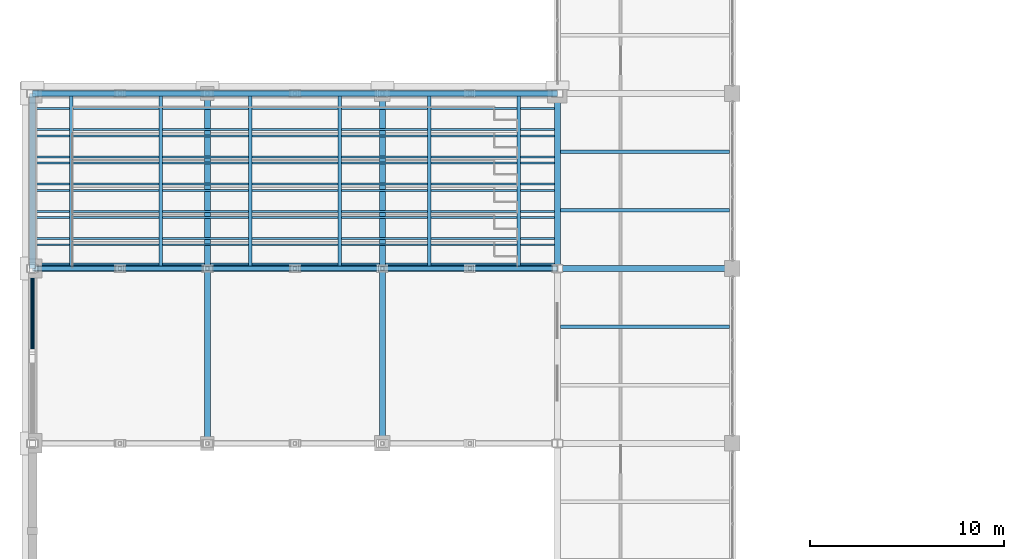
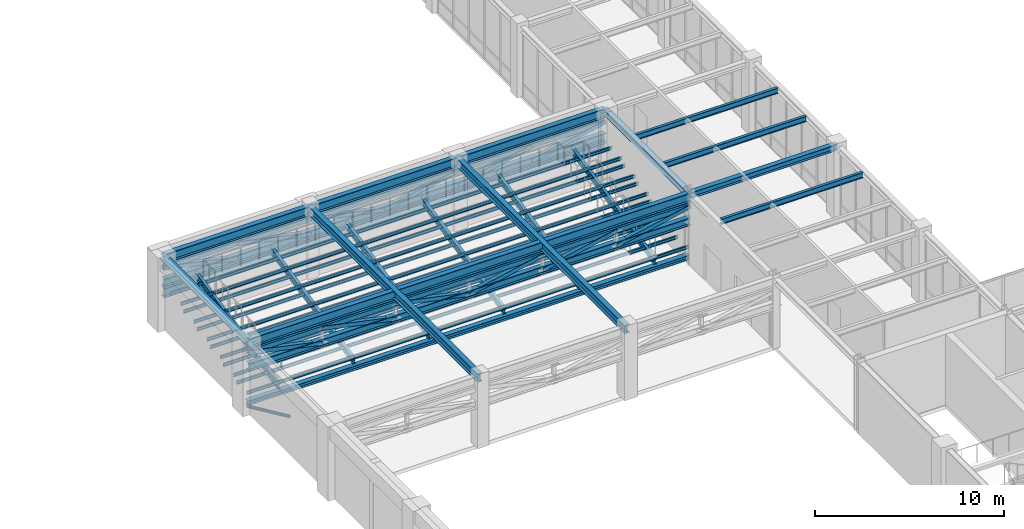
# One storey, part 21 of 92: 30 beams, 17 members.
"""IFC4 building model written with IfcOpenShell, lengths in metres."""

from ifc_helpers import new_model, si_unit, direction, frame, origin, origin_2d, place, context, subcontext, project, spatial, hollow_rectangle, hollow_circle, i_section, extrude, material, material_profile, profile_set, type_object, element, save


model = new_model("IFC4")

# Units and contexts
model_context = context("Model", 3, precision=1e-05, world=origin(), true_north=direction((0.0, 1.0)))
body_context = subcontext(model_context, "Body", "Model", "MODEL_VIEW")
ifc_project = project(units=[si_unit("LENGTHUNIT", "METRE"), si_unit("AREAUNIT", "SQUARE_METRE"), si_unit("VOLUMEUNIT", "CUBIC_METRE"), si_unit("PLANEANGLEUNIT", "RADIAN"), si_unit("MASSUNIT", "GRAM", prefix="KILO")], contexts=[model_context])

# Site, building, storey
site_placement = place(None, origin())
site = spatial("IfcSite", under=ifc_project, at=site_placement, CompositionType="ELEMENT")
building_placement = place(site_placement, origin())
building = spatial("IfcBuilding", under=site, at=building_placement, Name="Lykobir Media Centre", CompositionType="ELEMENT")
storey_placement = place(building_placement, frame((0.0, 0.0, 5.39990234375)))
storey = spatial("IfcBuildingStorey", under=building, at=storey_placement, Name="L01", CompositionType="ELEMENT", Elevation=5.39990234375)

# Beams
ifc_material = material(Name="Steel S355", Category="steel")
ifc_material_profile_1 = material_profile(ifc_material, i_section(OverallWidth=0.300048828125, OverallDepth=0.2900390625, WebThickness=0.008544921875, FlangeThickness=0.013916015625, at=origin_2d()), Name="HEA 300")
ifc_profile_set_1 = profile_set([ifc_material_profile_1], Name="Steel S355")
beam_type_1 = type_object("IfcBeamType", Name="BM-HEA300", PredefinedType="BEAM", material=ifc_profile_set_1)
beam_1_placement = place(storey_placement, frame((0.0, 36.139892578125, 0.295166015625), z_axis=(1.0, 0.0, 0.0), x_axis=(0.0, 1.0, 0.0)))
element("IfcBeam", 1, at=beam_1_placement, inside=storey, type_object=beam_type_1, Name="Beam BM-L01-0000-0361-0270-0361-570", PredefinedType="BEAM", context=body_context, shape_type="SweptSolid", body=[
    extrude(i_section(OverallWidth=0.300048828125, OverallDepth=0.2900390625, WebThickness=0.008544921875, FlangeThickness=0.013916015625, at=origin_2d()), origin(), (0.0, 0.0, 1.0), 27.0),
])
ifc_material_profile_2 = material_profile(ifc_material, i_section(OverallWidth=0.300048828125, OverallDepth=0.389892578125, WebThickness=0.010986328125, FlangeThickness=0.01904296875, at=origin_2d()), Name="HEA 400")
ifc_profile_set_2 = profile_set([ifc_material_profile_2], Name="Steel S355")
beam_type_2 = type_object("IfcBeamType", Name="BM-HEA400", PredefinedType="BEAM", material=ifc_profile_set_2)
beam_2_placement = place(storey_placement, frame((27.0, 36.0, 4.35302734375), z_axis=(1.0, 0.0, 0.0), x_axis=(0.0, 1.0, 0.0)))
element("IfcBeam", 2, at=beam_2_placement, inside=storey, type_object=beam_type_2, Name="Beam BM-L01-0270-0360-0360-0360-976", PredefinedType="BEAM", context=body_context, shape_type="SweptSolid", body=[
    extrude(i_section(OverallWidth=0.300048828125, OverallDepth=0.389892578125, WebThickness=0.010986328125, FlangeThickness=0.01904296875, at=origin_2d()), origin(), (0.0, 0.0, 1.0), 9.0),
])
ifc_material_profile_3 = material_profile(ifc_material, i_section(OverallWidth=0.300048828125, OverallDepth=0.550048828125, WebThickness=0.014892578125, FlangeThickness=0.029052734375, at=origin_2d()), Name="HEB 550")
ifc_profile_set_3 = profile_set([ifc_material_profile_3], Name="Steel S355")
beam_type_3 = type_object("IfcBeamType", Name="BM-HEB550", PredefinedType="BEAM", material=ifc_profile_set_3)
for number, where, z_axis, x_axis, name in (
    (3, (9.0, 27.0, 4.275146484375), (0.0, 1.0, 0.0), (-1.0, 0.0, 0.0), "Beam BM-L01-0090-0270-0090-0450-968"),
    (4, (18.0, 27.0, 4.275146484375), (0.0, 1.0, 0.0), (-1.0, 0.0, 0.0), "Beam BM-L01-0180-0270-0180-0450-968"),
):
    element("IfcBeam", number, at=place(storey_placement, frame(where, z_axis=z_axis, x_axis=x_axis)), inside=storey, type_object=beam_type_3, Name=name, PredefinedType="BEAM", context=body_context, shape_type="SweptSolid", body=[
        extrude(i_section(OverallWidth=0.300048828125, OverallDepth=0.550048828125, WebThickness=0.014892578125, FlangeThickness=0.029052734375, at=origin_2d()), origin(), (0.0, 0.0, 1.0), 18.0),
    ])
ifc_material_profile_4 = material_profile(ifc_material, i_section(OverallWidth=0.300048828125, OverallDepth=0.60009765625, WebThickness=0.015380859375, FlangeThickness=0.030029296875, at=origin_2d()), Name="HEB 600")
ifc_profile_set_4 = profile_set([ifc_material_profile_4], Name="Steel S355")
beam_type_4 = type_object("IfcBeamType", Name="BM-HEB600", PredefinedType="BEAM", material=ifc_profile_set_4)
for number, where, z_axis, x_axis, name in (
    (5, (0.0, 36.0, 4.25), (1.0, 0.0, 0.0), (0.0, 1.0, 0.0), "Beam BM-L01-0000-0360-0270-0360-965"),
    (6, (0.0, 45.0, 2.03857421875), (1.0, 0.0, 0.0), (0.0, 1.0, 0.0), "Beam BM-L01-0000-0450-0270-0450-744"),
):
    element("IfcBeam", number, at=place(storey_placement, frame(where, z_axis=z_axis, x_axis=x_axis)), inside=storey, type_object=beam_type_4, Name=name, PredefinedType="BEAM", context=body_context, shape_type="SweptSolid", body=[
        extrude(i_section(OverallWidth=0.300048828125, OverallDepth=0.60009765625, WebThickness=0.015380859375, FlangeThickness=0.030029296875, at=origin_2d()), origin(), (0.0, 0.0, 1.0), 27.0),
    ])
ifc_material_profile_5 = material_profile(ifc_material, i_section(OverallWidth=0.300048828125, OverallDepth=0.60009765625, WebThickness=0.015380859375, FlangeThickness=0.030029296875, at=origin_2d()), Name="HEB 600")
ifc_profile_set_5 = profile_set([ifc_material_profile_5], Name="Steel S355")
beam_type_5 = type_object("IfcBeamType", Name="BM-HEB600-E", PredefinedType="BEAM", material=ifc_profile_set_5)
beam_3_placement = place(storey_placement, frame((0.0, 45.0, 4.25), z_axis=(1.0, 0.0, 0.0), x_axis=(0.0, 1.0, 0.0)))
element("IfcBeam", 7, at=beam_3_placement, inside=storey, type_object=beam_type_5, Name="Beam BM-L01-0000-0450-0270-0450-965", PredefinedType="BEAM", context=body_context, shape_type="SweptSolid", body=[
    extrude(i_section(OverallWidth=0.300048828125, OverallDepth=0.60009765625, WebThickness=0.015380859375, FlangeThickness=0.030029296875, at=origin_2d()), origin(), (0.0, 0.0, 1.0), 27.0),
])

# Members
ifc_material_profile_6 = material_profile(ifc_material, hollow_circle(Radius=0.096923828125, WallThickness=0.010009765625, at=origin_2d()), Name="CHS 193.7x10.0")
ifc_profile_set_6 = profile_set([ifc_material_profile_6], Name="Steel S355")
member_type_1 = type_object("IfcMemberType", Name="BR-CHS194-E", PredefinedType="BRACE", material=ifc_profile_set_6)
member_1_placement = place(storey_placement, frame((0.0, 36.0, 0.1201171875), z_axis=(0.0, -0.909254600078, 0.416240401976), x_axis=(1.0, 0.0, 0.0)))
element("IfcMember", 8, at=member_1_placement, inside=storey, type_object=member_type_1, Name="Diagonal brace MEM2-L01-0000-0360-0055-0000-0316-0531", PredefinedType="BRACE", context=body_context, shape_type="SweptSolid", body=[
    extrude(hollow_circle(Radius=0.096923828125, WallThickness=0.010009765625, at=origin_2d()), origin(), (0.0, 0.0, 1.0), 4.7890625),
])
ifc_material_profile_7 = material_profile(ifc_material, hollow_rectangle(XDim=0.25, YDim=0.25, WallThickness=0.012451171875, at=origin_2d()), Name="SHS 250x250x12.5")
ifc_profile_set_7 = profile_set([ifc_material_profile_7], Name="Steel S355")
member_type_2 = type_object("IfcMemberType", Name="BR-SHS250", PredefinedType="BRACE", material=ifc_profile_set_7)
for number, where, z_axis, x_axis, name in (
    (9, (0.0, 36.0, 3.650146484375), (0.978436429829, 0.0, -0.206548185138), (0.0, 1.0, 0.0), "Diagonal brace MEM2-L01-0000-0360-0090-0045-0360-0073"),
    (10, (4.5, 36.0, 3.650146484375), (0.978436429829, 0.0, -0.206548185138), (0.0, 1.0, 0.0), "Diagonal brace MEM2-L01-0045-0360-0090-0090-0360-0074"),
    (11, (9.0, 36.0, 3.650146484375), (0.978436429829, 0.0, -0.206548185138), (0.0, 1.0, 0.0), "Diagonal brace MEM2-L01-0090-0360-0090-0135-0360-0076"),
    (12, (13.5, 36.0, 2.7001953125), (0.978436429829, 0.0, 0.206548185138), (0.0, 1.0, 0.0), "Diagonal brace MEM2-L01-0135-0360-0081-0180-0360-0078"),
    (13, (18.0, 36.0, 2.7001953125), (0.978436429829, 0.0, 0.206548185138), (0.0, 1.0, 0.0), "Diagonal brace MEM2-L01-0180-0360-0081-0225-0360-0080"),
    (14, (22.5, 36.0, 2.7001953125), (0.978436429829, 0.0, 0.206548185138), (0.0, 1.0, 0.0), "Diagonal brace MEM2-L01-0225-0360-0081-0270-0360-0082"),
):
    element("IfcMember", number, at=place(storey_placement, frame(where, z_axis=z_axis, x_axis=x_axis)), inside=storey, type_object=member_type_2, Name=name, PredefinedType="BRACE", context=body_context, shape_type="SweptSolid", body=[
        extrude(hollow_rectangle(XDim=0.25, YDim=0.25, WallThickness=0.012451171875, at=origin_2d()), origin(), (0.0, 0.0, 1.0), 4.59912109375),
    ])
ifc_material_profile_8 = material_profile(ifc_material, hollow_rectangle(XDim=0.25, YDim=0.25, WallThickness=0.012451171875, at=origin_2d()), Name="SHS 250x250x12.5")
ifc_profile_set_8 = profile_set([ifc_material_profile_8], Name="Steel S355")
member_type_3 = type_object("IfcMemberType", Name="BR-SHS250-E", PredefinedType="BRACE", material=ifc_profile_set_8)
for number, where, z_axis, x_axis, name in (
    (15, (0.0, 45.0, 3.650146484375), (0.978436429829, 0.0, -0.206548185138), (0.0, 1.0, 0.0), "Diagonal brace MEM2-L01-0000-0450-0090-0045-0450-0086"),
    (16, (4.5, 45.0, 3.650146484375), (0.978436429829, 0.0, -0.206548185138), (0.0, 1.0, 0.0), "Diagonal brace MEM2-L01-0045-0450-0090-0090-0450-0087"),
    (17, (9.0, 45.0, 3.650146484375), (0.978436429829, 0.0, -0.206548185138), (0.0, 1.0, 0.0), "Diagonal brace MEM2-L01-0090-0450-0090-0135-0450-0089"),
    (18, (13.5, 45.0, 2.7001953125), (0.978436429829, 0.0, 0.206548185138), (0.0, 1.0, 0.0), "Diagonal brace MEM2-L01-0135-0450-0081-0180-0450-0091"),
    (19, (18.0, 45.0, 2.7001953125), (0.978436429829, 0.0, 0.206548185138), (0.0, 1.0, 0.0), "Diagonal brace MEM2-L01-0180-0450-0081-0225-0450-0093"),
    (20, (22.5, 45.0, 2.7001953125), (0.978436429829, 0.0, 0.206548185138), (0.0, 1.0, 0.0), "Diagonal brace MEM2-L01-0225-0450-0081-0270-0450-0095"),
):
    element("IfcMember", number, at=place(storey_placement, frame(where, z_axis=z_axis, x_axis=x_axis)), inside=storey, type_object=member_type_3, Name=name, PredefinedType="BRACE", context=body_context, shape_type="SweptSolid", body=[
        extrude(hollow_rectangle(XDim=0.25, YDim=0.25, WallThickness=0.012451171875, at=origin_2d()), origin(), (0.0, 0.0, 1.0), 4.59912109375),
    ])

# Beams
ifc_material_profile_9 = material_profile(ifc_material, i_section(OverallWidth=0.169921875, OverallDepth=0.360107421875, WebThickness=0.008056640625, FlangeThickness=0.0126953125, at=origin_2d()), Name="IPE 360")
ifc_profile_set_9 = profile_set([ifc_material_profile_9], Name="Steel S355")
beam_type_6 = type_object("IfcBeamType", Name="JS-IPE360", PredefinedType="JOIST", material=ifc_profile_set_9)
for number, where, z_axis, x_axis, name in (
    (21, (27.14990234375, 33.0, 4.380126953125), (1.0, 0.0, 0.0), (0.0, 1.0, 0.0), "Beam BM-L01-0272-0330-0358-0330-978"),
    (22, (27.14990234375, 39.0, 4.380126953125), (1.0, 0.0, 0.0), (0.0, 1.0, 0.0), "Beam BM-L01-0272-0390-0358-0390-978"),
    (23, (27.14990234375, 42.0, 4.380126953125), (1.0, 0.0, 0.0), (0.0, 1.0, 0.0), "Beam BM-L01-0272-0420-0358-0420-978"),
):
    element("IfcBeam", number, at=place(storey_placement, frame(where, z_axis=z_axis, x_axis=x_axis)), inside=storey, type_object=beam_type_6, Name=name, PredefinedType="JOIST", context=body_context, shape_type="SweptSolid", body=[
        extrude(i_section(OverallWidth=0.169921875, OverallDepth=0.360107421875, WebThickness=0.008056640625, FlangeThickness=0.0126953125, at=origin_2d()), origin(), (0.0, 0.0, 1.0), 8.7001953125),
    ])
ifc_material_profile_10 = material_profile(ifc_material, i_section(OverallWidth=0.179931640625, OverallDepth=0.39990234375, WebThickness=0.008544921875, FlangeThickness=0.013427734375, at=origin_2d()), Name="IPE 400")
ifc_profile_set_10 = profile_set([ifc_material_profile_10], Name="Steel S355")
beam_type_7 = type_object("IfcBeamType", Name="RK-IPE400", PredefinedType="USERDEFINED", material=ifc_profile_set_10)
for number, where, z_axis, x_axis, name in (
    (24, (2.0, 36.139892578125, 0.635009765625), (0.0, 0.977800442571, 0.209538288884), (-1.0, 0.0, 0.0), "Beam BM-L01-0020-0361-0020-0450-604"),
    (25, (6.60009765625, 36.139892578125, 0.635009765625), (0.0, 0.977800442571, 0.209538288884), (-1.0, 0.0, 0.0), "Beam BM-L01-0066-0361-0066-0450-604"),
    (26, (11.199951171875, 36.139892578125, 0.635009765625), (0.0, 0.977800442571, 0.209538288884), (-1.0, 0.0, 0.0), "Beam BM-L01-0112-0361-0112-0450-604"),
    (27, (15.800048828125, 36.139892578125, 0.635009765625), (0.0, 0.977800442571, 0.209538288884), (-1.0, 0.0, 0.0), "Beam BM-L01-0158-0361-0158-0450-604"),
    (28, (20.39990234375, 36.139892578125, 0.635009765625), (0.0, 0.977800442571, 0.209538288884), (-1.0, 0.0, 0.0), "Beam BM-L01-0204-0361-0204-0450-604"),
    (29, (25.0, 36.139892578125, 0.635009765625), (0.0, 0.977800442571, 0.209538288884), (-1.0, 0.0, 0.0), "Beam BM-L01-0250-0361-0250-0450-604"),
):
    element("IfcBeam", number, at=place(storey_placement, frame(where, z_axis=z_axis, x_axis=x_axis)), inside=storey, type_object=beam_type_7, Name=name, ObjectType="RAKER", PredefinedType="USERDEFINED", context=body_context, shape_type="SweptSolid", body=[
        extrude(i_section(OverallWidth=0.179931640625, OverallDepth=0.39990234375, WebThickness=0.008544921875, FlangeThickness=0.013427734375, at=origin_2d()), origin(), (0.0, 0.0, 1.0), 9.061279296875),
    ])
ifc_material_profile_11 = material_profile(ifc_material, i_section(OverallWidth=0.300048828125, OverallDepth=0.35009765625, WebThickness=0.010009765625, FlangeThickness=0.017578125, at=origin_2d()), Name="HEA 360")
ifc_profile_set_11 = profile_set([ifc_material_profile_11], Name="Steel S355")
beam_type_8 = type_object("IfcBeamType", Name="SP-HEA360", PredefinedType="SPANDREL", material=ifc_profile_set_11)
beam_4_placement = place(storey_placement, frame((27.0, 36.0, 4.375), z_axis=(0.0, 1.0, 0.0), x_axis=(-1.0, 0.0, 0.0)))
element("IfcBeam", 30, at=beam_4_placement, inside=storey, type_object=beam_type_8, Name="Beam BM-L01-0270-0360-0270-0450-978", PredefinedType="SPANDREL", context=body_context, shape_type="SweptSolid", body=[
    extrude(i_section(OverallWidth=0.300048828125, OverallDepth=0.35009765625, WebThickness=0.010009765625, FlangeThickness=0.017578125, at=origin_2d()), origin(), (0.0, 0.0, 1.0), 9.0),
])
ifc_material_profile_12 = material_profile(ifc_material, i_section(OverallWidth=0.300048828125, OverallDepth=0.35009765625, WebThickness=0.010009765625, FlangeThickness=0.017578125, at=origin_2d()), Name="HEA 360")
ifc_profile_set_12 = profile_set([ifc_material_profile_12], Name="Steel S355")
beam_type_9 = type_object("IfcBeamType", Name="SP-HEA360-E", PredefinedType="SPANDREL", material=ifc_profile_set_12)
beam_5_placement = place(storey_placement, frame((0.0, 36.0, 4.375), z_axis=(0.0, 1.0, 0.0), x_axis=(-1.0, 0.0, 0.0)))
element("IfcBeam", 31, at=beam_5_placement, inside=storey, type_object=beam_type_9, Name="Beam BM-L01-0000-0360-0000-0450-978", PredefinedType="SPANDREL", context=body_context, shape_type="SweptSolid", body=[
    extrude(i_section(OverallWidth=0.300048828125, OverallDepth=0.35009765625, WebThickness=0.010009765625, FlangeThickness=0.017578125, at=origin_2d()), origin(), (0.0, 0.0, 1.0), 9.0),
])

# Members
ifc_material_profile_13 = material_profile(ifc_material, i_section(OverallWidth=0.300048828125, OverallDepth=0.5, WebThickness=0.014404296875, FlangeThickness=0.028076171875, at=origin_2d()), Name="HEB 500")
ifc_profile_set_13 = profile_set([ifc_material_profile_13], Name="Steel S355")
member_type_4 = type_object("IfcMemberType", Name="TC-HEB500", PredefinedType="CHORD", material=ifc_profile_set_13)
member_2_placement = place(storey_placement, frame((0.0, 36.0, 2.7001953125), z_axis=(1.0, 0.0, 0.0), x_axis=(0.0, 1.0, 0.0)))
element("IfcMember", 32, at=member_2_placement, inside=storey, type_object=member_type_4, Name="Truss chord MEM2-L01-0000-0360-0081-0270-0360-0071", PredefinedType="CHORD", context=body_context, shape_type="SweptSolid", body=[
    extrude(i_section(OverallWidth=0.300048828125, OverallDepth=0.5, WebThickness=0.014404296875, FlangeThickness=0.028076171875, at=origin_2d()), origin(), (0.0, 0.0, 1.0), 27.0),
])
ifc_material_profile_14 = material_profile(ifc_material, i_section(OverallWidth=0.300048828125, OverallDepth=0.5, WebThickness=0.014404296875, FlangeThickness=0.028076171875, at=origin_2d()), Name="HEB 500")
ifc_profile_set_14 = profile_set([ifc_material_profile_14], Name="Steel S355")
member_type_5 = type_object("IfcMemberType", Name="TC-HEB500-E", PredefinedType="CHORD", material=ifc_profile_set_14)
member_3_placement = place(storey_placement, frame((0.0, 45.0, 2.7001953125), z_axis=(1.0, 0.0, 0.0), x_axis=(0.0, 1.0, 0.0)))
element("IfcMember", 33, at=member_3_placement, inside=storey, type_object=member_type_5, Name="Truss chord MEM2-L01-0000-0450-0081-0270-0450-0084", PredefinedType="CHORD", context=body_context, shape_type="SweptSolid", body=[
    extrude(i_section(OverallWidth=0.300048828125, OverallDepth=0.5, WebThickness=0.014404296875, FlangeThickness=0.028076171875, at=origin_2d()), origin(), (0.0, 0.0, 1.0), 27.0),
])
ifc_material_profile_15 = material_profile(ifc_material, hollow_rectangle(XDim=0.199951171875, YDim=0.300048828125, WallThickness=0.012451171875, at=origin_2d()), Name="RHS 300x200x12.5")
ifc_profile_set_15 = profile_set([ifc_material_profile_15], Name="Steel S355")
member_type_6 = type_object("IfcMemberType", Name="TC-RHS300", PredefinedType="CHORD", material=ifc_profile_set_15)
member_4_placement = place(storey_placement, frame((0.0, 36.0, 3.650146484375), z_axis=(1.0, 0.0, 0.0), x_axis=(0.0, 1.0, 0.0)))
element("IfcMember", 34, at=member_4_placement, inside=storey, type_object=member_type_6, Name="Truss chord MEM2-L01-0000-0360-0090-0270-0360-0072", PredefinedType="CHORD", context=body_context, shape_type="SweptSolid", body=[
    extrude(hollow_rectangle(XDim=0.199951171875, YDim=0.300048828125, WallThickness=0.012451171875, at=origin_2d()), origin(), (0.0, 0.0, 1.0), 27.0),
])
ifc_material_profile_16 = material_profile(ifc_material, hollow_rectangle(XDim=0.199951171875, YDim=0.300048828125, WallThickness=0.012451171875, at=origin_2d()), Name="RHS 300x200x12.5")
ifc_profile_set_16 = profile_set([ifc_material_profile_16], Name="Steel S355")
member_type_7 = type_object("IfcMemberType", Name="TC-RHS300-E", PredefinedType="CHORD", material=ifc_profile_set_16)
member_5_placement = place(storey_placement, frame((0.0, 45.0, 3.650146484375), z_axis=(1.0, 0.0, 0.0), x_axis=(0.0, 1.0, 0.0)))
element("IfcMember", 35, at=member_5_placement, inside=storey, type_object=member_type_7, Name="Truss chord MEM2-L01-0000-0450-0090-0270-0450-0085", PredefinedType="CHORD", context=body_context, shape_type="SweptSolid", body=[
    extrude(hollow_rectangle(XDim=0.199951171875, YDim=0.300048828125, WallThickness=0.012451171875, at=origin_2d()), origin(), (0.0, 0.0, 1.0), 27.0),
])

# Beams
ifc_material_profile_17 = material_profile(ifc_material, i_section(OverallWidth=0.10009765625, OverallDepth=0.199951171875, WebThickness=0.005615234375, FlangeThickness=0.008544921875, at=origin_2d()), Name="IPE 200")
ifc_profile_set_17 = profile_set([ifc_material_profile_17], Name="Steel S355")
beam_type_10 = type_object("IfcBeamType", Name="TP-IPE200", PredefinedType="JOIST", material=ifc_profile_set_17)
for number, where, z_axis, x_axis, name in (
    (36, (0.0, 36.139892578125, 0.900146484375), (1.0, 0.0, 0.0), (0.0, 1.0, 0.0), "Beam BM-L01-0000-0361-0270-0361-630"),
    (37, (0.0, 37.219970703125, 0.900146484375), (1.0, 0.0, 0.0), (0.0, 1.0, 0.0), "Beam BM-L01-0000-0372-0270-0372-630"),
    (38, (0.0, 37.5400390625, 1.2001953125), (1.0, 0.0, 0.0), (0.0, 1.0, 0.0), "Beam BM-L01-0000-0375-0270-0375-660"),
    (39, (0.0, 38.6201171875, 1.2001953125), (1.0, 0.0, 0.0), (0.0, 1.0, 0.0), "Beam BM-L01-0000-0386-0270-0386-660"),
    (40, (0.0, 38.93994140625, 1.5), (1.0, 0.0, 0.0), (0.0, 1.0, 0.0), "Beam BM-L01-0000-0389-0270-0389-690"),
    (41, (0.0, 40.02001953125, 1.5), (1.0, 0.0, 0.0), (0.0, 1.0, 0.0), "Beam BM-L01-0000-0400-0270-0400-690"),
    (42, (0.0, 40.340087890625, 1.800048828125), (1.0, 0.0, 0.0), (0.0, 1.0, 0.0), "Beam BM-L01-0000-0403-0270-0403-720"),
    (43, (0.0, 41.419921875, 1.800048828125), (1.0, 0.0, 0.0), (0.0, 1.0, 0.0), "Beam BM-L01-0000-0414-0270-0414-720"),
    (44, (0.0, 41.739990234375, 2.10009765625), (1.0, 0.0, 0.0), (0.0, 1.0, 0.0), "Beam BM-L01-0000-0417-0270-0417-750"),
    (45, (0.0, 42.820068359375, 2.10009765625), (1.0, 0.0, 0.0), (0.0, 1.0, 0.0), "Beam BM-L01-0000-0428-0270-0428-750"),
    (46, (0.0, 43.139892578125, 2.400146484375), (1.0, 0.0, 0.0), (0.0, 1.0, 0.0), "Beam BM-L01-0000-0431-0270-0431-780"),
    (47, (0.0, 44.219970703125, 2.400146484375), (1.0, 0.0, 0.0), (0.0, 1.0, 0.0), "Beam BM-L01-0000-0442-0270-0442-780"),
):
    element("IfcBeam", number, at=place(storey_placement, frame(where, z_axis=z_axis, x_axis=x_axis)), inside=storey, type_object=beam_type_10, Name=name, PredefinedType="JOIST", context=body_context, shape_type="SweptSolid", body=[
        extrude(i_section(OverallWidth=0.10009765625, OverallDepth=0.199951171875, WebThickness=0.005615234375, FlangeThickness=0.008544921875, at=origin_2d()), origin(), (0.0, 0.0, 1.0), 27.0),
    ])

save(model, "model.ifc")
